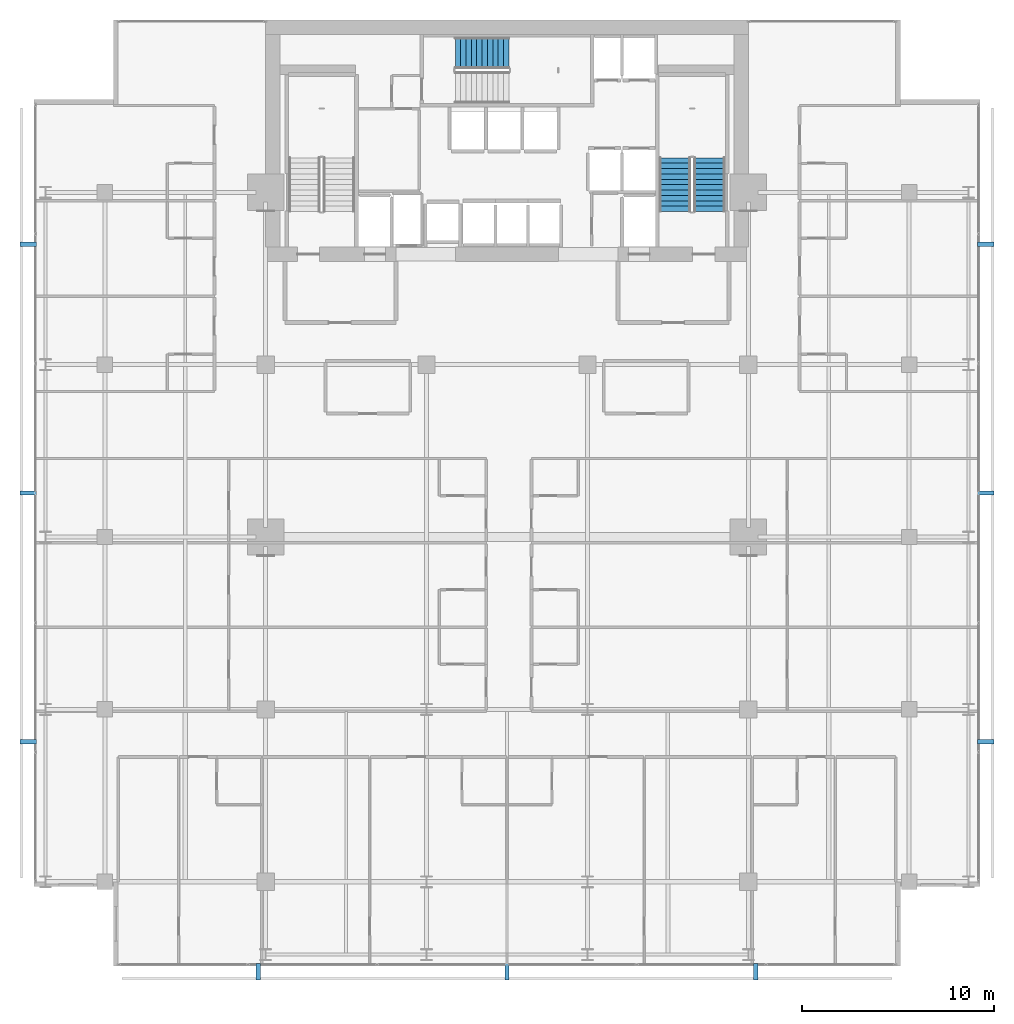
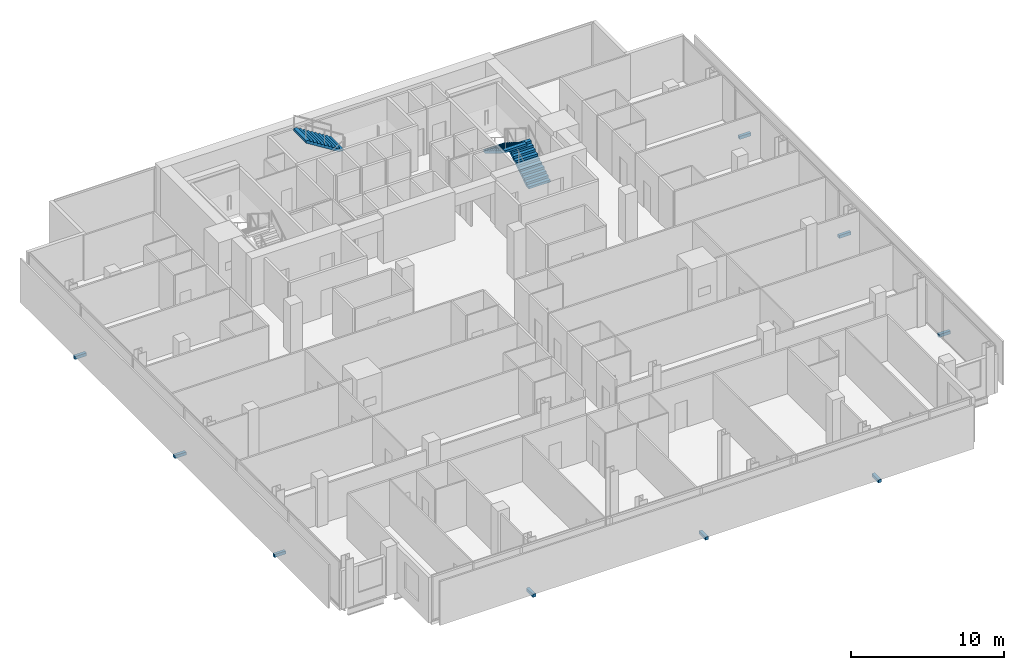
# One storey, part 32 of 34: 9 discrete accessories, 3 stair flights, 2 elements without a shape of their own.
"""IFC4 building model written with IfcOpenShell, lengths in metres."""

from ifc_helpers import new_model, si_unit, direction, frame, origin, origin_2d, place, context, subcontext, project, spatial, polyline, rectangle, outline, extrude, material, type_object, element, aggregate, save


model = new_model("IFC4")

# Units and contexts
model_context = context("Model", 3, precision=1e-05, world=origin(), true_north=direction((0.0, 1.0)))
body_context = subcontext(model_context, "Body", "Model", "MODEL_VIEW")
ifc_project = project(units=[si_unit("LENGTHUNIT", "METRE"), si_unit("AREAUNIT", "SQUARE_METRE"), si_unit("VOLUMEUNIT", "CUBIC_METRE"), si_unit("PLANEANGLEUNIT", "RADIAN"), si_unit("MASSUNIT", "GRAM", prefix="KILO")], contexts=[model_context])

# Site, building, storey
site_placement = place(None, origin())
site = spatial("IfcSite", under=ifc_project, at=site_placement, CompositionType="ELEMENT")
building_placement = place(site_placement, origin())
building = spatial("IfcBuilding", under=site, at=building_placement, Name="Maruvema Waterfront Hotel and Observation Tower", CompositionType="ELEMENT")
storey_placement = place(building_placement, frame((0.0, 0.0, 212.10009765625)))
storey = spatial("IfcBuildingStorey", under=building, at=storey_placement, Name="L52", CompositionType="ELEMENT", Elevation=212.10009765625)

# Stair, stair flight
ifc_material_1 = material(Name="Concrete C50/60", Category="concrete")
stair_type = type_object("IfcStairType", Name="Dogleg Exit Stair 1650 mm (22R x 175.0 mm)", PredefinedType="HALF_TURN_STAIR", material=ifc_material_1)
stair_1_placement = place(storey_placement, origin())
stair_1 = element("IfcStair", 1, at=stair_1_placement, inside=storey, type_object=stair_type, Name="L52 ST-02", PredefinedType="HALF_TURN_STAIR")
ifc_material_2 = material(Name="Concrete C50/60", Category="concrete")
stair_flight_type = type_object("IfcStairFlightType", Name="Reinforced Concrete Stair Flight 1650 mm (11R x 175.0 mm)", PredefinedType="STRAIGHT", material=ifc_material_2)
stair_flight_1_placement = place(storey_placement, frame((37.89990234375, 52.27490234375, 1.9248046875), z_axis=(0.0, 0.0, 1.0), x_axis=(-1.0, 0.0, 0.0)))
stair_flight_1 = element("IfcStairFlight", 2, at=stair_flight_1_placement, type_object=stair_flight_type, Name="ST-02 flight 2", NumberOfRisers=11, NumberOfTreads=10, PredefinedType="STRAIGHT", RiserHeight=0.175, TreadLength=0.28, context=body_context, shape_type="SweptSolid", body=[
    extrude(outline(polyline([(0.0, 0.0), (0.0, 0.175048828125), (0.280029296875, 0.175048828125), (0.280029296875, 0.35009765625), (0.56005859375, 0.35009765625), (0.56005859375, 0.52490234375), (0.840087890625, 0.52490234375), (0.840087890625, 0.699951171875), (1.1201171875, 0.699951171875), (1.1201171875, 0.875), (1.39990234375, 0.875), (1.39990234375, 1.050048828125), (1.679931640625, 1.050048828125), (1.679931640625, 1.22509765625), (1.9599609375, 1.22509765625), (1.9599609375, 1.39990234375), (2.239990234375, 1.39990234375), (2.239990234375, 1.574951171875), (2.52001953125, 1.574951171875), (2.52001953125, 1.75), (2.800048828125, 1.75), (2.800048828125, 1.925048828125), (2.800048828125, 1.5732421875), (0.28271484375, 0.0), (0.0, 0.0)])), frame((0.0, 0.824951171875, 0.0), z_axis=(0.0, -1.0, 0.0), x_axis=(1.0, 0.0, 0.0)), (0.0, 0.0, 1.0), 1.64990234375),
])
aggregate(stair_1, [stair_flight_1])

# Stair, stair flights
stair_2_placement = place(storey_placement, origin())
stair_2 = element("IfcStair", 3, at=stair_2_placement, inside=storey, type_object=stair_type, Name="L52 ST-03", PredefinedType="HALF_TURN_STAIR")
stair_flight_2_placement = place(storey_placement, frame((48.375, 44.0, 0.0), z_axis=(0.0, 0.0, 1.0), x_axis=(0.0, 1.0, 0.0)))
stair_flight_2 = element("IfcStairFlight", 4, at=stair_flight_2_placement, type_object=stair_flight_type, Name="ST-03 flight 1", NumberOfRisers=11, NumberOfTreads=10, PredefinedType="STRAIGHT", RiserHeight=0.175, TreadLength=0.28, context=body_context, shape_type="SweptSolid", body=[
    extrude(outline(polyline([(0.0, 0.0), (0.0, 0.175048828125), (0.280029296875, 0.175048828125), (0.280029296875, 0.35009765625), (0.56005859375, 0.35009765625), (0.56005859375, 0.52490234375), (0.840087890625, 0.52490234375), (0.840087890625, 0.699951171875), (1.1201171875, 0.699951171875), (1.1201171875, 0.875), (1.39990234375, 0.875), (1.39990234375, 1.050048828125), (1.679931640625, 1.050048828125), (1.679931640625, 1.22509765625), (1.9599609375, 1.22509765625), (1.9599609375, 1.39990234375), (2.239990234375, 1.39990234375), (2.239990234375, 1.574951171875), (2.52001953125, 1.574951171875), (2.52001953125, 1.75), (2.800048828125, 1.75), (2.800048828125, 1.925048828125), (2.800048828125, 1.5732421875), (0.28271484375, 0.0), (0.0, 0.0)])), frame((0.0, 0.824951171875, 0.0), z_axis=(0.0, -1.0, 0.0), x_axis=(1.0, 0.0, 0.0)), (0.0, 0.0, 1.0), 1.64990234375),
])
stair_flight_3_placement = place(storey_placement, frame((46.574951171875, 46.800048828125, 1.9248046875), z_axis=(0.0, 0.0, 1.0), x_axis=(0.0, -1.0, 0.0)))
stair_flight_3 = element("IfcStairFlight", 5, at=stair_flight_3_placement, type_object=stair_flight_type, Name="ST-03 flight 2", NumberOfRisers=11, NumberOfTreads=10, PredefinedType="STRAIGHT", RiserHeight=0.175, TreadLength=0.28, context=body_context, shape_type="SweptSolid", body=[
    extrude(outline(polyline([(0.0, 0.0), (0.0, 0.175048828125), (0.280029296875, 0.175048828125), (0.280029296875, 0.35009765625), (0.56005859375, 0.35009765625), (0.56005859375, 0.52490234375), (0.840087890625, 0.52490234375), (0.840087890625, 0.699951171875), (1.1201171875, 0.699951171875), (1.1201171875, 0.875), (1.39990234375, 0.875), (1.39990234375, 1.050048828125), (1.679931640625, 1.050048828125), (1.679931640625, 1.22509765625), (1.9599609375, 1.22509765625), (1.9599609375, 1.39990234375), (2.239990234375, 1.39990234375), (2.239990234375, 1.574951171875), (2.52001953125, 1.574951171875), (2.52001953125, 1.75), (2.800048828125, 1.75), (2.800048828125, 1.925048828125), (2.800048828125, 1.5732421875), (0.28271484375, 0.0), (0.0, 0.0)])), frame((0.0, 0.824951171875, 0.0), z_axis=(0.0, -1.0, 0.0), x_axis=(1.0, 0.0, 0.0)), (0.0, 0.0, 1.0), 1.64990234375),
])
aggregate(stair_2, [stair_flight_2, stair_flight_3])

# Discrete accessories
ifc_material_3 = material(Name="Duplex stainless steel Grade 2205", Category="steel")
discrete_accessory_type = type_object("IfcDiscreteAccessoryType", Name="Double-Skin Cavity Stainless Outrigger Bracket", PredefinedType="BRACKET", material=ifc_material_3)
for number, where, z_axis, x_axis, name in (
    (6, (24.80810546875, 4.300048828125, -0.14013671875), (0.0, 0.0, 1.0), (1.0, 0.0, 0.0), "L52 Outer Skin Support Bracket 1"),
    (7, (37.800048828125, 4.300048828125, -0.14013671875), (0.0, 0.0, 1.0), (1.0, 0.0, 0.0), "L52 Outer Skin Support Bracket 2"),
    (8, (50.7919921875, 4.300048828125, -0.14013671875), (0.0, 0.0, 1.0), (1.0, 0.0, 0.0), "L52 Outer Skin Support Bracket 3"),
    (9, (62.800048828125, 16.30810546875, -0.14013671875), (0.0, 0.0, 1.0), (0.0, 1.0, 0.0), "L52 Outer Skin Support Bracket 1"),
    (10, (62.800048828125, 29.300048828125, -0.14013671875), (0.0, 0.0, 1.0), (0.0, 1.0, 0.0), "L52 Outer Skin Support Bracket 2"),
    (11, (62.800048828125, 42.2919921875, -0.14013671875), (0.0, 0.0, 1.0), (0.0, 1.0, 0.0), "L52 Outer Skin Support Bracket 3"),
    (12, (12.800048828125, 42.2919921875, -0.14013671875), (0.0, 0.0, 1.0), (0.0, -1.0, 0.0), "L52 Outer Skin Support Bracket 1"),
    (13, (12.800048828125, 29.300048828125, -0.14013671875), (0.0, 0.0, 1.0), (0.0, -1.0, 0.0), "L52 Outer Skin Support Bracket 2"),
    (14, (12.800048828125, 16.30810546875, -0.14013671875), (0.0, 0.0, 1.0), (0.0, -1.0, 0.0), "L52 Outer Skin Support Bracket 3"),
):
    element("IfcDiscreteAccessory", number, at=place(storey_placement, frame(where, z_axis=z_axis, x_axis=x_axis)), inside=storey, type_object=discrete_accessory_type, Name=name, PredefinedType="BRACKET", context=body_context, shape_type="SweptSolid", body=[
        extrude(rectangle(XDim=0.219970703125, YDim=0.860107421875, at=origin_2d()), origin(), (0.0, 0.0, 1.0), 0.239990234375),
    ])

save(model, "model.ifc")
